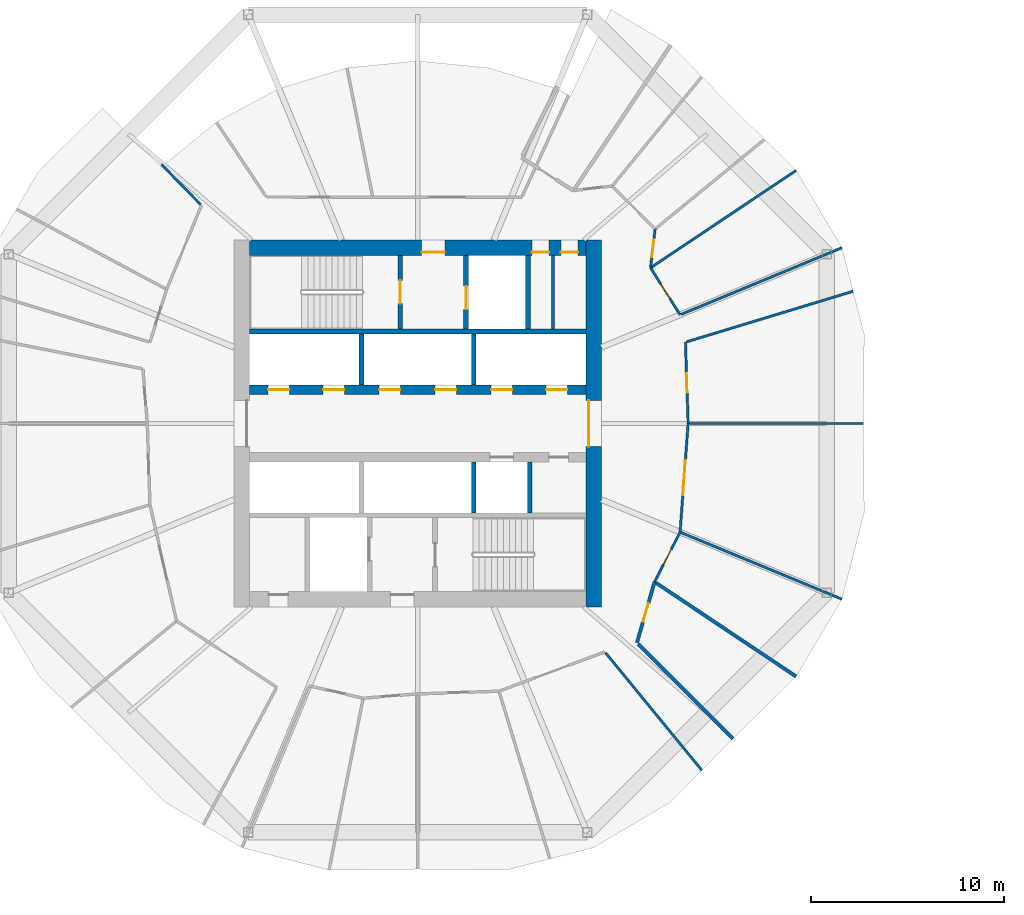
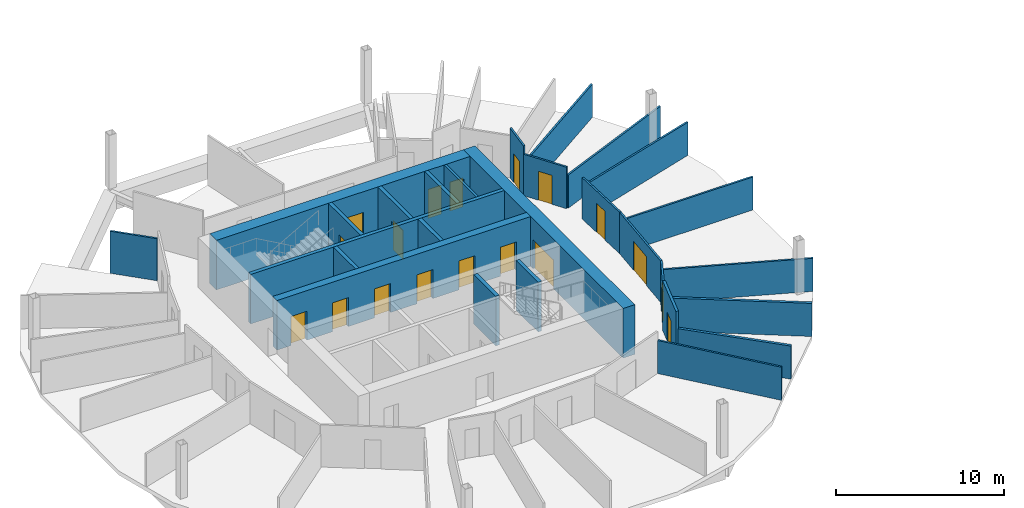
# One storey, part 5 of 10: 27 walls, 18 doors, 18 openings.
"""IFC4 building model written with IfcOpenShell, lengths in metres."""

from ifc_helpers import new_model, si_unit, direction, frame, frame_2d, origin, place, context, subcontext, project, spatial, rectangle, extrude, material, layer, layer_set, type_object, element, fill, save


model = new_model("IFC4")

# Units and contexts
model_context = context("Model", 3, precision=1e-05, world=origin(), true_north=direction((0.0, 1.0)))
body_context = subcontext(model_context, "Body", "Model", "MODEL_VIEW")
ifc_project = project(units=[si_unit("LENGTHUNIT", "METRE"), si_unit("AREAUNIT", "SQUARE_METRE"), si_unit("VOLUMEUNIT", "CUBIC_METRE"), si_unit("PLANEANGLEUNIT", "RADIAN"), si_unit("MASSUNIT", "GRAM", prefix="KILO")], contexts=[model_context])

# Site, building, storey
site_placement = place(None, origin())
site = spatial("IfcSite", under=ifc_project, at=site_placement, CompositionType="ELEMENT")
building_placement = place(site_placement, origin())
building = spatial("IfcBuilding", under=site, at=building_placement, Name="Ogive Gate Towers", CompositionType="ELEMENT")
storey_placement = place(building_placement, frame((0.0, 0.0, 59.699951171875)))
storey = spatial("IfcBuildingStorey", under=building, at=storey_placement, Name="L13", CompositionType="ELEMENT", Elevation=59.699951171875)

# Walls
ifc_material_1 = material(Name="Gypsum board acoustic partition")
ifc_layer_1 = layer(ifc_material_1, 0.175048828125)
ifc_layer_set_1 = layer_set([ifc_layer_1], Name="Acoustic partition 175")
wall_type_1 = type_object("IfcWallType", Name="Acoustic partition 175", PredefinedType="PARTITIONING", material=ifc_layer_set_1)
wall_1_placement = place(storey_placement, frame((-19.69482421875, -16.30517578125, 0.0), z_axis=(0.0, 0.0, 1.0), x_axis=(-0.707106781187, 0.707106781187, 0.0)))
element("IfcWall", 1, at=wall_1_placement, inside=storey, type_object=wall_type_1, Name="Partition T1-L13-025", PredefinedType="PARTITIONING", context=body_context, shape_type="SweptSolid", body=[
    extrude(rectangle(XDim=6.931640625, YDim=0.175048828125, at=frame_2d((3.4658203125, 0.0))), origin(), (0.0, 0.0, 1.0), 2.400146484375),
])
wall_2_placement = place(storey_placement, frame((-16.415283203125, -13.095458984375, 0.0), z_axis=(0.0, 0.0, 1.0), x_axis=(-0.831288104006, 0.555841783368, 0.0)))
element("IfcWall", 2, at=wall_2_placement, inside=storey, type_object=wall_type_1, Name="Partition T1-L13-026", PredefinedType="PARTITIONING", context=body_context, shape_type="SweptSolid", body=[
    extrude(rectangle(XDim=8.7314453125, YDim=0.175048828125, at=frame_2d((4.36572265625, 0.0))), origin(), (0.0, 0.0, 1.0), 2.400146484375),
])

# Wall, opening, door
wall_3_placement = place(storey_placement, frame((-23.746337890625, -8.193359375, 0.0), z_axis=(0.0, 0.0, 1.0), x_axis=(-0.278103286916, -0.960551176048, 0.0)))
wall_3 = element("IfcWall", 3, at=wall_3_placement, inside=storey, type_object=wall_type_1, Name="Partition T1-L13-040", PredefinedType="PARTITIONING", context=body_context, shape_type="SweptSolid", body=[
    extrude(rectangle(XDim=3.278076171875, YDim=0.175048828125, at=frame_2d((1.63916015625, 0.0))), origin(), (0.0, 0.0, 1.0), 3.60009765625),
])
opening_1_placement = place(wall_3_placement, frame((1.138916015625, 0.0, 0.0)))
opening_1 = element("IfcOpeningElement", 4, at=opening_1_placement, cuts=wall_3, Name="Opening T1-L13-D13", PredefinedType="OPENING", context=body_context, shape_type="SweptSolid", body=[
    extrude(rectangle(XDim=1.0, YDim=2.10009765625, at=frame_2d((0.5, 1.050048828125))), frame((0.0, 0.09765625, 0.0), z_axis=(0.0, -1.0, 0.0), x_axis=(1.0, 0.0, 0.0)), (0.0, 0.0, 1.0), 0.195068359375),
])
ifc_material_2 = material(Name="Timber door", Category="wood")
door_type_1 = type_object("IfcDoorType", Name="Door 1000", OperationType="NOTDEFINED", PredefinedType="DOOR", material=ifc_material_2)
door_1_placement = place(opening_1_placement, origin())
door_1 = element("IfcDoor", 5, at=door_1_placement, inside=storey, type_object=door_type_1, Name="Door T1-L13-D13", OperationType="SINGLE_SWING_LEFT", OverallHeight=2.10009765625, OverallWidth=1.0, PredefinedType="DOOR", context=body_context, shape_type="SweptSolid", body=[
    extrude(rectangle(XDim=1.0, YDim=2.10009765625, at=frame_2d((0.5, 1.050048828125))), frame((0.0, 0.02490234375, 0.0), z_axis=(0.0, -1.0, 0.0), x_axis=(1.0, 0.0, 0.0)), (0.0, 0.0, 1.0), 0.050048828125),
])
fill(opening_1, door_1)

# Wall, openings, doors
ifc_material_3 = material(Name="Concrete C60/75", Category="concrete")
ifc_layer_2 = layer(ifc_material_3, 0.800048828125)
ifc_layer_set_2 = layer_set([ifc_layer_2], Name="Core wall 800 mm")
wall_type_2 = type_object("IfcWallType", Name="Core wall 800 mm", PredefinedType="SHEAR", material=ifc_layer_set_2)
wall_4_placement = place(storey_placement, frame((-44.699951171875, 9.10009765625, 0.0), z_axis=(0.0, 0.0, 1.0), x_axis=(1.0, 0.0, 0.0)))
wall_4 = element("IfcWall", 6, at=wall_4_placement, inside=storey, type_object=wall_type_2, Name="T1 L13 Core wall 800 mm", PredefinedType="SHEAR", context=body_context, shape_type="SweptSolid", body=[
    extrude(rectangle(XDim=17.39990234375, YDim=0.800048828125, at=frame_2d((8.699951171875, 0.0))), origin(), (0.0, 0.0, 1.0), 3.60009765625),
])
opening_2_placement = place(wall_4_placement, frame((8.89990234375, 0.0, 0.0)))
opening_2 = element("IfcOpeningElement", 7, at=opening_2_placement, cuts=wall_4, Name="Opening KD-T1-L13-15", PredefinedType="OPENING", context=body_context, shape_type="SweptSolid", body=[
    extrude(rectangle(XDim=1.199951171875, YDim=2.10009765625, at=frame_2d((0.60009765625, 1.050048828125))), frame((0.0, 0.41015625, 0.0), z_axis=(0.0, -1.0, 0.0), x_axis=(1.0, 0.0, 0.0)), (0.0, 0.0, 1.0), 0.820068359375),
])
opening_3_placement = place(wall_4_placement, frame((14.60009765625, 0.0, 0.0)))
opening_3 = element("IfcOpeningElement", 8, at=opening_3_placement, cuts=wall_4, Name="Opening KD-T1-L13-17", PredefinedType="OPENING", context=body_context, shape_type="SweptSolid", body=[
    extrude(rectangle(XDim=0.89990234375, YDim=2.10009765625, at=frame_2d((0.449951171875, 1.050048828125))), frame((0.0, 0.41015625, 0.0), z_axis=(0.0, -1.0, 0.0), x_axis=(1.0, 0.0, 0.0)), (0.0, 0.0, 1.0), 0.820068359375),
])
opening_4_placement = place(wall_4_placement, frame((16.10009765625, 0.0, 0.0)))
opening_4 = element("IfcOpeningElement", 9, at=opening_4_placement, cuts=wall_4, Name="Opening KD-T1-L13-18", PredefinedType="OPENING", context=body_context, shape_type="SweptSolid", body=[
    extrude(rectangle(XDim=0.89990234375, YDim=2.10009765625, at=frame_2d((0.449951171875, 1.050048828125))), frame((0.0, 0.41015625, 0.0), z_axis=(0.0, -1.0, 0.0), x_axis=(1.0, 0.0, 0.0)), (0.0, 0.0, 1.0), 0.820068359375),
])
door_type_2 = type_object("IfcDoorType", Name="Core WC door 900 x 2100", OperationType="NOTDEFINED", PredefinedType="DOOR", material=ifc_material_2)
door_2_placement = place(opening_3_placement, origin())
door_2 = element("IfcDoor", 10, at=door_2_placement, inside=storey, type_object=door_type_2, Name="T1 L13 Core door", OperationType="SINGLE_SWING_RIGHT", OverallHeight=2.10009765625, OverallWidth=0.89990234375, PredefinedType="DOOR", context=body_context, shape_type="SweptSolid", body=[
    extrude(rectangle(XDim=0.89990234375, YDim=2.10009765625, at=frame_2d((0.449951171875, 1.050048828125))), frame((0.0, -0.22509765625, 0.0), z_axis=(0.0, -1.0, 0.0), x_axis=(1.0, 0.0, 0.0)), (0.0, 0.0, 1.0), 0.050048828125),
])
fill(opening_3, door_2)
door_3_placement = place(opening_4_placement, origin())
door_3 = element("IfcDoor", 11, at=door_3_placement, inside=storey, type_object=door_type_2, Name="T1 L13 Core door", OperationType="SINGLE_SWING_LEFT", OverallHeight=2.10009765625, OverallWidth=0.89990234375, PredefinedType="DOOR", context=body_context, shape_type="SweptSolid", body=[
    extrude(rectangle(XDim=0.89990234375, YDim=2.10009765625, at=frame_2d((0.449951171875, 1.050048828125))), frame((0.0, -0.22509765625, 0.0), z_axis=(0.0, -1.0, 0.0), x_axis=(1.0, 0.0, 0.0)), (0.0, 0.0, 1.0), 0.050048828125),
])
fill(opening_4, door_3)
ifc_material_4 = material(Name="Steel fire door", Category="steel")
door_type_3 = type_object("IfcDoorType", Name="Core door FD60S 1200 x 2100", OperationType="NOTDEFINED", PredefinedType="DOOR", material=ifc_material_4)
door_4_placement = place(opening_2_placement, origin())
door_4 = element("IfcDoor", 12, at=door_4_placement, inside=storey, type_object=door_type_3, Name="T1 L13 Fire-fighting lobby door", OperationType="SINGLE_SWING_RIGHT", OverallHeight=2.10009765625, OverallWidth=1.199951171875, PredefinedType="DOOR", context=body_context, shape_type="SweptSolid", body=[
    extrude(rectangle(XDim=1.199951171875, YDim=2.10009765625, at=frame_2d((0.60009765625, 1.050048828125))), frame((0.0, -0.22509765625, 0.0), z_axis=(0.0, -1.0, 0.0), x_axis=(1.0, 0.0, 0.0)), (0.0, 0.0, 1.0), 0.050048828125),
])
fill(opening_2, door_4)

# Wall, opening, door
wall_5_placement = place(storey_placement, frame((-26.89990234375, -9.5, 0.0), z_axis=(0.0, 0.0, 1.0), x_axis=(0.0, 1.0, 0.0)))
wall_5 = element("IfcWall", 13, at=wall_5_placement, inside=storey, type_object=wall_type_2, Name="T1 L13 Core wall 800 mm", PredefinedType="SHEAR", context=body_context, shape_type="SweptSolid", body=[
    extrude(rectangle(XDim=19.0, YDim=0.800048828125, at=frame_2d((9.5, 0.0))), origin(), (0.0, 0.0, 1.0), 3.60009765625),
])
opening_5_placement = place(wall_5_placement, frame((8.300048828125, 0.0, 0.0)))
opening_5 = element("IfcOpeningElement", 14, at=opening_5_placement, cuts=wall_5, Name="Opening KD-T1-L13-02", PredefinedType="OPENING", context=body_context, shape_type="SweptSolid", body=[
    extrude(rectangle(XDim=2.39990234375, YDim=2.10009765625, at=frame_2d((1.199951171875, 1.050048828125))), frame((0.0, 0.41015625, 0.0), z_axis=(0.0, -1.0, 0.0), x_axis=(1.0, 0.0, 0.0)), (0.0, 0.0, 1.0), 0.820068359375),
])
door_type_4 = type_object("IfcDoorType", Name="Core double door FD60S 2400 x 2100", OperationType="DOUBLE_DOOR_SINGLE_SWING", PredefinedType="DOOR", material=ifc_material_4)
door_5_placement = place(opening_5_placement, origin())
door_5 = element("IfcDoor", 15, at=door_5_placement, inside=storey, type_object=door_type_4, Name="T1 L13 Core door double", OperationType="DOUBLE_DOOR_SINGLE_SWING", OverallHeight=2.10009765625, OverallWidth=2.39990234375, PredefinedType="DOOR", context=body_context, shape_type="SweptSolid", body=[
    extrude(rectangle(XDim=2.39990234375, YDim=2.10009765625, at=frame_2d((1.199951171875, 1.050048828125))), frame((0.0, 0.27490234375, 0.0), z_axis=(0.0, -1.0, 0.0), x_axis=(1.0, 0.0, 0.0)), (0.0, 0.0, 1.0), 0.050048828125),
])
fill(opening_5, door_5)

# Walls
ifc_material_5 = material(Name="Gypsum board partition")
ifc_layer_3 = layer(ifc_material_5, 0.125)
ifc_layer_set_3 = layer_set([ifc_layer_3], Name="Partition 125")
wall_type_3 = type_object("IfcWallType", Name="Partition 125", PredefinedType="PARTITIONING", material=ifc_layer_set_3)
wall_6_placement = place(storey_placement, frame((-12.94091796875, 0.0, 0.0), z_axis=(0.0, 0.0, 1.0), x_axis=(-1.0, 0.0, 0.0)))
element("IfcWall", 16, at=wall_6_placement, inside=storey, type_object=wall_type_3, Name="Partition T1-L13-001", PredefinedType="PARTITIONING", context=body_context, shape_type="SweptSolid", body=[
    extrude(rectangle(XDim=9.006591796875, YDim=0.125, at=frame_2d((4.50341796875, 0.0))), origin(), (0.0, 0.0, 1.0), 2.400146484375),
])
for number, where, z_axis, x_axis, name in (
    (17, (-13.470458984375, 6.840576171875, 0.0), (0.0, 0.0, 1.0), (-0.956863756585, -0.290537005102, 0.0), "Partition T1-L13-002"),
    (18, (-14.048583984375, 9.092529296875, 0.0), (0.0, 0.0, 1.0), (-0.923881704543, -0.382678188575, 0.0), "Partition T1-L13-003"),
    (19, (-16.415283203125, 13.095458984375, 0.0), (0.0, 0.0, 1.0), (-0.831273793745, -0.555863184456, 0.0), "Partition T1-L13-004"),
):
    element("IfcWall", number, at=place(storey_placement, frame(where, z_axis=z_axis, x_axis=x_axis)), inside=storey, type_object=wall_type_3, Name=name, PredefinedType="PARTITIONING", context=body_context, shape_type="SweptSolid", body=[
        extrude(rectangle(XDim=9.00634765625, YDim=0.125, at=frame_2d((4.503173828125, 0.0))), origin(), (0.0, 0.0, 1.0), 2.400146484375),
    ])
wall_7_placement = place(storey_placement, frame((-49.2587890625, 13.400146484375, 0.0), z_axis=(0.0, 0.0, 1.0), x_axis=(0.699487753661, -0.714644584726, 0.0)))
element("IfcWall", 20, at=wall_7_placement, inside=storey, type_object=wall_type_3, Name="Partition T1-L13-012", PredefinedType="PARTITIONING", context=body_context, shape_type="SweptSolid", body=[
    extrude(rectangle(XDim=2.8994140625, YDim=0.125, at=frame_2d((1.44970703125, 0.0))), origin(), (0.0, 0.0, 1.0), 3.050048828125),
])
wall_8_placement = place(storey_placement, frame((-21.300048828125, -17.944580078125, 0.0), z_axis=(0.0, 0.0, 1.0), x_axis=(-0.63370640986, 0.773573646205, 0.0)))
element("IfcWall", 21, at=wall_8_placement, inside=storey, type_object=wall_type_3, Name="Partition T1-L13-024", PredefinedType="PARTITIONING", context=body_context, shape_type="SweptSolid", body=[
    extrude(rectangle(XDim=7.856689453125, YDim=0.125, at=frame_2d((3.92822265625, 0.0))), origin(), (0.0, 0.0, 1.0), 2.400146484375),
])
wall_9_placement = place(storey_placement, frame((-14.048583984375, -9.092529296875, 0.0), z_axis=(0.0, 0.0, 1.0), x_axis=(-0.923881704543, 0.382678188575, 0.0)))
element("IfcWall", 22, at=wall_9_placement, inside=storey, type_object=wall_type_3, Name="Partition T1-L13-027", PredefinedType="PARTITIONING", context=body_context, shape_type="SweptSolid", body=[
    extrude(rectangle(XDim=9.00634765625, YDim=0.125, at=frame_2d((4.503173828125, 0.0))), origin(), (0.0, 0.0, 1.0), 2.400146484375),
])

# Wall, opening, door
wall_10_placement = place(storey_placement, frame((-23.71728515625, 10.06201171875, 0.0), z_axis=(0.0, 0.0, 1.0), x_axis=(-0.117149562802, -0.993114283421, 0.0)))
wall_10 = element("IfcWall", 23, at=wall_10_placement, inside=storey, type_object=wall_type_3, Name="Partition T1-L13-035", PredefinedType="PARTITIONING", context=body_context, shape_type="SweptSolid", body=[
    extrude(rectangle(XDim=2.021484375, YDim=0.125, at=frame_2d((1.0107421875, 0.0))), origin(), (0.0, 0.0, 1.0), 3.60009765625),
])
opening_6_placement = place(wall_10_placement, frame((0.56103515625, 0.0, 0.0)))
opening_6 = element("IfcOpeningElement", 24, at=opening_6_placement, cuts=wall_10, Name="Opening T1-L13-D08", PredefinedType="OPENING", context=body_context, shape_type="SweptSolid", body=[
    extrude(rectangle(XDim=0.89990234375, YDim=2.10009765625, at=frame_2d((0.449951171875, 1.050048828125))), frame((0.0, 0.072509765625, 0.0), z_axis=(0.0, -1.0, 0.0), x_axis=(1.0, 0.0, 0.0)), (0.0, 0.0, 1.0), 0.14501953125),
])
door_type_5 = type_object("IfcDoorType", Name="Door 900", OperationType="NOTDEFINED", PredefinedType="DOOR", material=ifc_material_2)
door_6_placement = place(opening_6_placement, origin())
door_6 = element("IfcDoor", 25, at=door_6_placement, inside=storey, type_object=door_type_5, Name="Door T1-L13-D08", OperationType="SINGLE_SWING_LEFT", OverallHeight=2.10009765625, OverallWidth=0.89990234375, PredefinedType="DOOR", context=body_context, shape_type="SweptSolid", body=[
    extrude(rectangle(XDim=0.89990234375, YDim=2.10009765625, at=frame_2d((0.449951171875, 1.050048828125))), frame((0.0, 0.02490234375, 0.0), z_axis=(0.0, -1.0, 0.0), x_axis=(1.0, 0.0, 0.0)), (0.0, 0.0, 1.0), 0.050048828125),
])
fill(opening_6, door_6)

wall_11_placement = place(storey_placement, frame((-23.9541015625, 8.054443359375, 0.0), z_axis=(0.0, 0.0, 1.0), x_axis=(0.531656110464, -0.846960317965, 0.0)))
wall_11 = element("IfcWall", 26, at=wall_11_placement, inside=storey, type_object=wall_type_3, Name="Partition T1-L13-036", PredefinedType="PARTITIONING", context=body_context, shape_type="SweptSolid", body=[
    extrude(rectangle(XDim=2.871826171875, YDim=0.125, at=frame_2d((1.43603515625, 0.0))), origin(), (0.0, 0.0, 1.0), 3.010009765625),
])
opening_7_placement = place(wall_11_placement, frame((0.986083984375, 0.0, 0.0)))
opening_7 = element("IfcOpeningElement", 27, at=opening_7_placement, cuts=wall_11, Name="Opening T1-L13-D09", PredefinedType="OPENING", context=body_context, shape_type="SweptSolid", body=[
    extrude(rectangle(XDim=0.89990234375, YDim=2.10009765625, at=frame_2d((0.449951171875, 1.050048828125))), frame((0.0, 0.072509765625, 0.0), z_axis=(0.0, -1.0, 0.0), x_axis=(1.0, 0.0, 0.0)), (0.0, 0.0, 1.0), 0.14501953125),
])
door_7_placement = place(opening_7_placement, origin())
door_7 = element("IfcDoor", 28, at=door_7_placement, inside=storey, type_object=door_type_5, Name="Door T1-L13-D09", OperationType="SINGLE_SWING_LEFT", OverallHeight=2.10009765625, OverallWidth=0.89990234375, PredefinedType="DOOR", context=body_context, shape_type="SweptSolid", body=[
    extrude(rectangle(XDim=0.89990234375, YDim=2.10009765625, at=frame_2d((0.449951171875, 1.050048828125))), frame((0.0, 0.02490234375, 0.0), z_axis=(0.0, -1.0, 0.0), x_axis=(1.0, 0.0, 0.0)), (0.0, 0.0, 1.0), 0.050048828125),
])
fill(opening_7, door_7)

wall_12_placement = place(storey_placement, frame((-22.148193359375, 4.205810546875, 0.0), z_axis=(0.0, 0.0, 1.0), x_axis=(0.032837682417, -0.999460697883, 0.0)))
wall_12 = element("IfcWall", 29, at=wall_12_placement, inside=storey, type_object=wall_type_3, Name="Partition T1-L13-037", PredefinedType="PARTITIONING", context=body_context, shape_type="SweptSolid", body=[
    extrude(rectangle(XDim=4.2080078125, YDim=0.125, at=frame_2d((2.10400390625, 0.0))), origin(), (0.0, 0.0, 1.0), 3.0),
])
opening_8_placement = place(wall_12_placement, frame((1.60400390625, 0.0, 0.0)))
opening_8 = element("IfcOpeningElement", 30, at=opening_8_placement, cuts=wall_12, Name="Opening T1-L13-D10", PredefinedType="OPENING", context=body_context, shape_type="SweptSolid", body=[
    extrude(rectangle(XDim=1.0, YDim=2.10009765625, at=frame_2d((0.5, 1.050048828125))), frame((0.0, 0.072509765625, 0.0), z_axis=(0.0, -1.0, 0.0), x_axis=(1.0, 0.0, 0.0)), (0.0, 0.0, 1.0), 0.14501953125),
])
door_8_placement = place(opening_8_placement, origin())
door_8 = element("IfcDoor", 31, at=door_8_placement, inside=storey, type_object=door_type_1, Name="Door T1-L13-D10", OperationType="SINGLE_SWING_RIGHT", OverallHeight=2.10009765625, OverallWidth=1.0, PredefinedType="DOOR", context=body_context, shape_type="SweptSolid", body=[
    extrude(rectangle(XDim=1.0, YDim=2.10009765625, at=frame_2d((0.5, 1.050048828125))), frame((0.0, 0.02490234375, 0.0), z_axis=(0.0, -1.0, 0.0), x_axis=(1.0, 0.0, 0.0)), (0.0, 0.0, 1.0), 0.050048828125),
])
fill(opening_8, door_8)

wall_13_placement = place(storey_placement, frame((-22.010009765625, 0.0, 0.0), z_axis=(0.0, 0.0, 1.0), x_axis=(-0.074010465833, -0.997257464724, 0.0)))
wall_13 = element("IfcWall", 32, at=wall_13_placement, inside=storey, type_object=wall_type_3, Name="Partition T1-L13-038", PredefinedType="PARTITIONING", context=body_context, shape_type="SweptSolid", body=[
    extrude(rectangle(XDim=5.637451171875, YDim=0.125, at=frame_2d((2.81884765625, 0.0))), origin(), (0.0, 0.0, 1.0), 3.0),
])
opening_9_placement = place(wall_13_placement, frame((1.9189453125, 0.0, 0.0)))
opening_9 = element("IfcOpeningElement", 33, at=opening_9_placement, cuts=wall_13, Name="Opening T1-L13-D11", PredefinedType="OPENING", context=body_context, shape_type="SweptSolid", body=[
    extrude(rectangle(XDim=1.800048828125, YDim=2.10009765625, at=frame_2d((0.89990234375, 1.050048828125))), frame((0.0, 0.072509765625, 0.0), z_axis=(0.0, -1.0, 0.0), x_axis=(1.0, 0.0, 0.0)), (0.0, 0.0, 1.0), 0.14501953125),
])
door_type_6 = type_object("IfcDoorType", Name="Door pair 1800", OperationType="NOTDEFINED", PredefinedType="DOOR", material=ifc_material_2)
door_9_placement = place(opening_9_placement, origin())
door_9 = element("IfcDoor", 34, at=door_9_placement, inside=storey, type_object=door_type_6, Name="Door T1-L13-D11", OperationType="DOUBLE_DOOR_DOUBLE_SWING", OverallHeight=2.10009765625, OverallWidth=1.800048828125, PredefinedType="DOOR", context=body_context, shape_type="SweptSolid", body=[
    extrude(rectangle(XDim=1.800048828125, YDim=2.10009765625, at=frame_2d((0.89990234375, 1.050048828125))), frame((0.0, 0.02490234375, 0.0), z_axis=(0.0, -1.0, 0.0), x_axis=(1.0, 0.0, 0.0)), (0.0, 0.0, 1.0), 0.050048828125),
])
fill(opening_9, door_9)

wall_14_placement = place(storey_placement, frame((-22.42724609375, -5.6220703125, 0.0), z_axis=(0.0, 0.0, 1.0), x_axis=(-0.456448706733, -0.889749727801, 0.0)))
wall_14 = element("IfcWall", 35, at=wall_14_placement, inside=storey, type_object=wall_type_3, Name="Partition T1-L13-039", PredefinedType="PARTITIONING", context=body_context, shape_type="SweptSolid", body=[
    extrude(rectangle(XDim=2.889892578125, YDim=0.125, at=frame_2d((1.44482421875, 0.0))), origin(), (0.0, 0.0, 1.0), 3.010009765625),
])
opening_10_placement = place(wall_14_placement, frame((0.9951171875, 0.0, 0.0)))
opening_10 = element("IfcOpeningElement", 36, at=opening_10_placement, cuts=wall_14, Name="Opening T1-L13-D12", PredefinedType="OPENING", context=body_context, shape_type="SweptSolid", body=[
    extrude(rectangle(XDim=0.89990234375, YDim=2.10009765625, at=frame_2d((0.449951171875, 1.050048828125))), frame((0.0, 0.072509765625, 0.0), z_axis=(0.0, -1.0, 0.0), x_axis=(1.0, 0.0, 0.0)), (0.0, 0.0, 1.0), 0.14501953125),
])
door_10_placement = place(opening_10_placement, origin())
door_10 = element("IfcDoor", 37, at=door_10_placement, inside=storey, type_object=door_type_5, Name="Door T1-L13-D12", OperationType="SINGLE_SWING_RIGHT", OverallHeight=2.10009765625, OverallWidth=0.89990234375, PredefinedType="DOOR", context=body_context, shape_type="SweptSolid", body=[
    extrude(rectangle(XDim=0.89990234375, YDim=2.10009765625, at=frame_2d((0.449951171875, 1.050048828125))), frame((0.0, 0.02490234375, 0.0), z_axis=(0.0, -1.0, 0.0), x_axis=(1.0, 0.0, 0.0)), (0.0, 0.0, 1.0), 0.050048828125),
])
fill(opening_10, door_10)

# Walls
ifc_layer_4 = layer(ifc_material_5, 0.14990234375)
ifc_layer_set_4 = layer_set([ifc_layer_4], Name="Room partition 150 mm")
wall_type_4 = type_object("IfcWallType", Name="Room partition 150 mm", PredefinedType="PARTITIONING", material=ifc_layer_set_4)
wall_15_placement = place(storey_placement, frame((-29.0, 4.875, 0.0), z_axis=(0.0, 0.0, 1.0), x_axis=(0.0, 1.0, 0.0)))
element("IfcWall", 38, at=wall_15_placement, inside=storey, type_object=wall_type_4, Name="T1 L13 Room partition 150 mm", PredefinedType="PARTITIONING", context=body_context, shape_type="SweptSolid", body=[
    extrude(rectangle(XDim=3.824951171875, YDim=0.14990234375, at=frame_2d((1.91259765625, 0.0))), origin(), (0.0, 0.0, 1.0), 3.60009765625),
])
ifc_layer_5 = layer(ifc_material_3, 0.25)
ifc_layer_set_5 = layer_set([ifc_layer_5], Name="Shaft wall 250 mm")
wall_type_5 = type_object("IfcWallType", Name="Shaft wall 250 mm", PredefinedType="SHEAR", material=ifc_layer_set_5)
wall_16_placement = place(storey_placement, frame((-44.699951171875, 4.75, 0.0), z_axis=(0.0, 0.0, 1.0), x_axis=(1.0, 0.0, 0.0)))
element("IfcWall", 39, at=wall_16_placement, inside=storey, type_object=wall_type_5, Name="T1 L13 Shaft wall 250 mm", PredefinedType="SHEAR", context=body_context, shape_type="SweptSolid", body=[
    extrude(rectangle(XDim=17.39990234375, YDim=0.25, at=frame_2d((8.699951171875, 0.0))), origin(), (0.0, 0.0, 1.0), 3.60009765625),
])
wall_17_placement = place(storey_placement, frame((-38.89990234375, 2.0, 0.0), z_axis=(0.0, 0.0, 1.0), x_axis=(0.0, 1.0, 0.0)))
element("IfcWall", 40, at=wall_17_placement, inside=storey, type_object=wall_type_5, Name="T1 L13 Shaft wall 250 mm", PredefinedType="SHEAR", context=body_context, shape_type="SweptSolid", body=[
    extrude(rectangle(XDim=2.625, YDim=0.25, at=frame_2d((1.3125, 0.0))), origin(), (0.0, 0.0, 1.0), 3.60009765625),
])

# Wall, opening, door
wall_18_placement = place(storey_placement, frame((-36.89990234375, 4.875, 0.0), z_axis=(0.0, 0.0, 1.0), x_axis=(0.0, 1.0, 0.0)))
wall_18 = element("IfcWall", 41, at=wall_18_placement, inside=storey, type_object=wall_type_5, Name="T1 L13 Shaft wall 250 mm", PredefinedType="SHEAR", context=body_context, shape_type="SweptSolid", body=[
    extrude(rectangle(XDim=3.824951171875, YDim=0.25, at=frame_2d((1.91259765625, 0.0))), origin(), (0.0, 0.0, 1.0), 3.60009765625),
])
opening_11_placement = place(wall_18_placement, frame((1.324951171875, 0.0, 0.0)))
opening_11 = element("IfcOpeningElement", 42, at=opening_11_placement, cuts=wall_18, Name="Opening KD-T1-L13-13", PredefinedType="OPENING", context=body_context, shape_type="SweptSolid", body=[
    extrude(rectangle(XDim=1.199951171875, YDim=2.10009765625, at=frame_2d((0.60009765625, 1.050048828125))), frame((0.0, 0.135009765625, 0.0), z_axis=(0.0, -1.0, 0.0), x_axis=(1.0, 0.0, 0.0)), (0.0, 0.0, 1.0), 0.27001953125),
])
door_11_placement = place(opening_11_placement, origin())
door_11 = element("IfcDoor", 43, at=door_11_placement, inside=storey, type_object=door_type_3, Name="T1 L13 Stair door", OperationType="SINGLE_SWING_RIGHT", OverallHeight=2.10009765625, OverallWidth=1.199951171875, PredefinedType="DOOR", context=body_context, shape_type="SweptSolid", body=[
    extrude(rectangle(XDim=1.199951171875, YDim=2.10009765625, at=frame_2d((0.60009765625, 1.050048828125))), frame((0.0, 0.02490234375, 0.0), z_axis=(0.0, -1.0, 0.0), x_axis=(1.0, 0.0, 0.0)), (0.0, 0.0, 1.0), 0.050048828125),
])
fill(opening_11, door_11)

wall_19_placement = place(storey_placement, frame((-33.5, 4.875, 0.0), z_axis=(0.0, 0.0, 1.0), x_axis=(0.0, 1.0, 0.0)))
wall_19 = element("IfcWall", 44, at=wall_19_placement, inside=storey, type_object=wall_type_5, Name="T1 L13 Shaft wall 250 mm", PredefinedType="SHEAR", context=body_context, shape_type="SweptSolid", body=[
    extrude(rectangle(XDim=3.824951171875, YDim=0.25, at=frame_2d((1.91259765625, 0.0))), origin(), (0.0, 0.0, 1.0), 3.60009765625),
])
opening_12_placement = place(wall_19_placement, frame((1.02490234375, 0.0, 0.0)))
opening_12 = element("IfcOpeningElement", 45, at=opening_12_placement, cuts=wall_19, Name="Opening LD-T1-L13-10", PredefinedType="OPENING", context=body_context, shape_type="SweptSolid", body=[
    extrude(rectangle(XDim=1.199951171875, YDim=2.10009765625, at=frame_2d((0.60009765625, 1.050048828125))), frame((0.0, 0.135009765625, 0.0), z_axis=(0.0, -1.0, 0.0), x_axis=(1.0, 0.0, 0.0)), (0.0, 0.0, 1.0), 0.27001953125),
])
ifc_material_6 = material(Name="Stainless steel landing door", Category="steel")
door_type_7 = type_object("IfcDoorType", Name="Landing door 1200 x 2100", OperationType="SLIDING_TO_LEFT", PredefinedType="DOOR", material=ifc_material_6)
door_12_placement = place(opening_12_placement, origin())
door_12 = element("IfcDoor", 46, at=door_12_placement, inside=storey, type_object=door_type_7, Name="T1 L13 Lift landing door FF1", OperationType="SLIDING_TO_LEFT", OverallHeight=2.10009765625, OverallWidth=1.199951171875, PredefinedType="DOOR", context=body_context, shape_type="SweptSolid", body=[
    extrude(rectangle(XDim=1.199951171875, YDim=2.10009765625, at=frame_2d((0.60009765625, 1.050048828125))), frame((0.0, 0.02490234375, 0.0), z_axis=(0.0, -1.0, 0.0), x_axis=(1.0, 0.0, 0.0)), (0.0, 0.0, 1.0), 0.050048828125),
])
fill(opening_12, door_12)

# Walls
for number, where, z_axis, x_axis, name in (
    (47, (-33.10009765625, -4.625, 0.0), (0.0, 0.0, 1.0), (0.0, 1.0, 0.0), "T1 L13 Shaft wall 250 mm"),
    (48, (-33.10009765625, 2.0, 0.0), (0.0, 0.0, 1.0), (0.0, 1.0, 0.0), "T1 L13 Shaft wall 250 mm"),
):
    element("IfcWall", number, at=place(storey_placement, frame(where, z_axis=z_axis, x_axis=x_axis)), inside=storey, type_object=wall_type_5, Name=name, PredefinedType="SHEAR", context=body_context, shape_type="SweptSolid", body=[
        extrude(rectangle(XDim=2.625, YDim=0.25, at=frame_2d((1.3125, 0.0))), origin(), (0.0, 0.0, 1.0), 3.60009765625),
    ])
wall_20_placement = place(storey_placement, frame((-30.300048828125, 4.875, 0.0), z_axis=(0.0, 0.0, 1.0), x_axis=(0.0, 1.0, 0.0)))
element("IfcWall", 49, at=wall_20_placement, inside=storey, type_object=wall_type_5, Name="T1 L13 Shaft wall 250 mm", PredefinedType="SHEAR", context=body_context, shape_type="SweptSolid", body=[
    extrude(rectangle(XDim=3.824951171875, YDim=0.25, at=frame_2d((1.91259765625, 0.0))), origin(), (0.0, 0.0, 1.0), 3.60009765625),
])
wall_21_placement = place(storey_placement, frame((-30.199951171875, -4.625, 0.0), z_axis=(0.0, 0.0, 1.0), x_axis=(0.0, 1.0, 0.0)))
element("IfcWall", 50, at=wall_21_placement, inside=storey, type_object=wall_type_5, Name="T1 L13 Shaft wall 250 mm", PredefinedType="SHEAR", context=body_context, shape_type="SweptSolid", body=[
    extrude(rectangle(XDim=2.625, YDim=0.25, at=frame_2d((1.3125, 0.0))), origin(), (0.0, 0.0, 1.0), 3.60009765625),
])

# Wall, openings, doors
ifc_layer_6 = layer(ifc_material_3, 0.5)
ifc_layer_set_6 = layer_set([ifc_layer_6], Name="Spine wall 500 mm")
wall_type_6 = type_object("IfcWallType", Name="Spine wall 500 mm", PredefinedType="SHEAR", material=ifc_layer_set_6)
wall_22_placement = place(storey_placement, frame((-44.699951171875, 1.75, 0.0), z_axis=(0.0, 0.0, 1.0), x_axis=(1.0, 0.0, 0.0)))
wall_22 = element("IfcWall", 51, at=wall_22_placement, inside=storey, type_object=wall_type_6, Name="T1 L13 Spine wall 500 mm", PredefinedType="SHEAR", context=body_context, shape_type="SweptSolid", body=[
    extrude(rectangle(XDim=17.39990234375, YDim=0.5, at=frame_2d((8.699951171875, 0.0))), origin(), (0.0, 0.0, 1.0), 3.60009765625),
])
opening_13_placement = place(wall_22_placement, frame((0.96240234375, 0.0, 0.0)))
opening_13 = element("IfcOpeningElement", 52, at=opening_13_placement, cuts=wall_22, Name="Opening LD-T1-L13-03", PredefinedType="OPENING", context=body_context, shape_type="SweptSolid", body=[
    extrude(rectangle(XDim=1.10009765625, YDim=2.10009765625, at=frame_2d((0.550048828125, 1.050048828125))), frame((0.0, 0.260009765625, 0.0), z_axis=(0.0, -1.0, 0.0), x_axis=(1.0, 0.0, 0.0)), (0.0, 0.0, 1.0), 0.52001953125),
])
opening_14_placement = place(wall_22_placement, frame((3.800048828125, 0.0, 0.0)))
opening_14 = element("IfcOpeningElement", 53, at=opening_14_placement, cuts=wall_22, Name="Opening LD-T1-L13-04", PredefinedType="OPENING", context=body_context, shape_type="SweptSolid", body=[
    extrude(rectangle(XDim=1.10009765625, YDim=2.10009765625, at=frame_2d((0.550048828125, 1.050048828125))), frame((0.0, 0.260009765625, 0.0), z_axis=(0.0, -1.0, 0.0), x_axis=(1.0, 0.0, 0.0)), (0.0, 0.0, 1.0), 0.52001953125),
])
opening_15_placement = place(wall_22_placement, frame((6.699951171875, 0.0, 0.0)))
opening_15 = element("IfcOpeningElement", 54, at=opening_15_placement, cuts=wall_22, Name="Opening LD-T1-L13-05", PredefinedType="OPENING", context=body_context, shape_type="SweptSolid", body=[
    extrude(rectangle(XDim=1.10009765625, YDim=2.10009765625, at=frame_2d((0.550048828125, 1.050048828125))), frame((0.0, 0.260009765625, 0.0), z_axis=(0.0, -1.0, 0.0), x_axis=(1.0, 0.0, 0.0)), (0.0, 0.0, 1.0), 0.52001953125),
])
opening_16_placement = place(wall_22_placement, frame((9.60009765625, 0.0, 0.0)))
opening_16 = element("IfcOpeningElement", 55, at=opening_16_placement, cuts=wall_22, Name="Opening LD-T1-L13-06", PredefinedType="OPENING", context=body_context, shape_type="SweptSolid", body=[
    extrude(rectangle(XDim=1.10009765625, YDim=2.10009765625, at=frame_2d((0.550048828125, 1.050048828125))), frame((0.0, 0.260009765625, 0.0), z_axis=(0.0, -1.0, 0.0), x_axis=(1.0, 0.0, 0.0)), (0.0, 0.0, 1.0), 0.52001953125),
])
opening_17_placement = place(wall_22_placement, frame((12.5, 0.0, 0.0)))
opening_17 = element("IfcOpeningElement", 56, at=opening_17_placement, cuts=wall_22, Name="Opening LD-T1-L13-07", PredefinedType="OPENING", context=body_context, shape_type="SweptSolid", body=[
    extrude(rectangle(XDim=1.10009765625, YDim=2.10009765625, at=frame_2d((0.550048828125, 1.050048828125))), frame((0.0, 0.260009765625, 0.0), z_axis=(0.0, -1.0, 0.0), x_axis=(1.0, 0.0, 0.0)), (0.0, 0.0, 1.0), 0.52001953125),
])
opening_18_placement = place(wall_22_placement, frame((15.33740234375, 0.0, 0.0)))
opening_18 = element("IfcOpeningElement", 57, at=opening_18_placement, cuts=wall_22, Name="Opening LD-T1-L13-08", PredefinedType="OPENING", context=body_context, shape_type="SweptSolid", body=[
    extrude(rectangle(XDim=1.10009765625, YDim=2.10009765625, at=frame_2d((0.550048828125, 1.050048828125))), frame((0.0, 0.260009765625, 0.0), z_axis=(0.0, -1.0, 0.0), x_axis=(1.0, 0.0, 0.0)), (0.0, 0.0, 1.0), 0.52001953125),
])
door_type_8 = type_object("IfcDoorType", Name="Landing door 1100 x 2100", OperationType="SLIDING_TO_LEFT", PredefinedType="DOOR", material=ifc_material_6)
door_13_placement = place(opening_13_placement, origin())
door_13 = element("IfcDoor", 58, at=door_13_placement, inside=storey, type_object=door_type_8, Name="T1 L13 Lift landing door A1", OperationType="SLIDING_TO_LEFT", OverallHeight=2.10009765625, OverallWidth=1.10009765625, PredefinedType="DOOR", context=body_context, shape_type="SweptSolid", body=[
    extrude(rectangle(XDim=1.10009765625, YDim=2.10009765625, at=frame_2d((0.550048828125, 1.050048828125))), frame((0.0, 0.02490234375, 0.0), z_axis=(0.0, -1.0, 0.0), x_axis=(1.0, 0.0, 0.0)), (0.0, 0.0, 1.0), 0.050048828125),
])
fill(opening_13, door_13)
door_14_placement = place(opening_14_placement, origin())
door_14 = element("IfcDoor", 59, at=door_14_placement, inside=storey, type_object=door_type_8, Name="T1 L13 Lift landing door A2", OperationType="SLIDING_TO_LEFT", OverallHeight=2.10009765625, OverallWidth=1.10009765625, PredefinedType="DOOR", context=body_context, shape_type="SweptSolid", body=[
    extrude(rectangle(XDim=1.10009765625, YDim=2.10009765625, at=frame_2d((0.550048828125, 1.050048828125))), frame((0.0, 0.02490234375, 0.0), z_axis=(0.0, -1.0, 0.0), x_axis=(1.0, 0.0, 0.0)), (0.0, 0.0, 1.0), 0.050048828125),
])
fill(opening_14, door_14)
door_15_placement = place(opening_15_placement, origin())
door_15 = element("IfcDoor", 60, at=door_15_placement, inside=storey, type_object=door_type_8, Name="T1 L13 Lift landing door A3", OperationType="SLIDING_TO_LEFT", OverallHeight=2.10009765625, OverallWidth=1.10009765625, PredefinedType="DOOR", context=body_context, shape_type="SweptSolid", body=[
    extrude(rectangle(XDim=1.10009765625, YDim=2.10009765625, at=frame_2d((0.550048828125, 1.050048828125))), frame((0.0, 0.02490234375, 0.0), z_axis=(0.0, -1.0, 0.0), x_axis=(1.0, 0.0, 0.0)), (0.0, 0.0, 1.0), 0.050048828125),
])
fill(opening_15, door_15)
door_16_placement = place(opening_16_placement, origin())
door_16 = element("IfcDoor", 61, at=door_16_placement, inside=storey, type_object=door_type_8, Name="T1 L13 Lift landing door A4", OperationType="SLIDING_TO_LEFT", OverallHeight=2.10009765625, OverallWidth=1.10009765625, PredefinedType="DOOR", context=body_context, shape_type="SweptSolid", body=[
    extrude(rectangle(XDim=1.10009765625, YDim=2.10009765625, at=frame_2d((0.550048828125, 1.050048828125))), frame((0.0, 0.02490234375, 0.0), z_axis=(0.0, -1.0, 0.0), x_axis=(1.0, 0.0, 0.0)), (0.0, 0.0, 1.0), 0.050048828125),
])
fill(opening_16, door_16)
door_17_placement = place(opening_17_placement, origin())
door_17 = element("IfcDoor", 62, at=door_17_placement, inside=storey, type_object=door_type_8, Name="T1 L13 Lift landing door A5", OperationType="SLIDING_TO_LEFT", OverallHeight=2.10009765625, OverallWidth=1.10009765625, PredefinedType="DOOR", context=body_context, shape_type="SweptSolid", body=[
    extrude(rectangle(XDim=1.10009765625, YDim=2.10009765625, at=frame_2d((0.550048828125, 1.050048828125))), frame((0.0, 0.02490234375, 0.0), z_axis=(0.0, -1.0, 0.0), x_axis=(1.0, 0.0, 0.0)), (0.0, 0.0, 1.0), 0.050048828125),
])
fill(opening_17, door_17)
door_18_placement = place(opening_18_placement, origin())
door_18 = element("IfcDoor", 63, at=door_18_placement, inside=storey, type_object=door_type_8, Name="T1 L13 Lift landing door A6", OperationType="SLIDING_TO_LEFT", OverallHeight=2.10009765625, OverallWidth=1.10009765625, PredefinedType="DOOR", context=body_context, shape_type="SweptSolid", body=[
    extrude(rectangle(XDim=1.10009765625, YDim=2.10009765625, at=frame_2d((0.550048828125, 1.050048828125))), frame((0.0, 0.02490234375, 0.0), z_axis=(0.0, -1.0, 0.0), x_axis=(1.0, 0.0, 0.0)), (0.0, 0.0, 1.0), 0.050048828125),
])
fill(opening_18, door_18)

save(model, "model.ifc")
